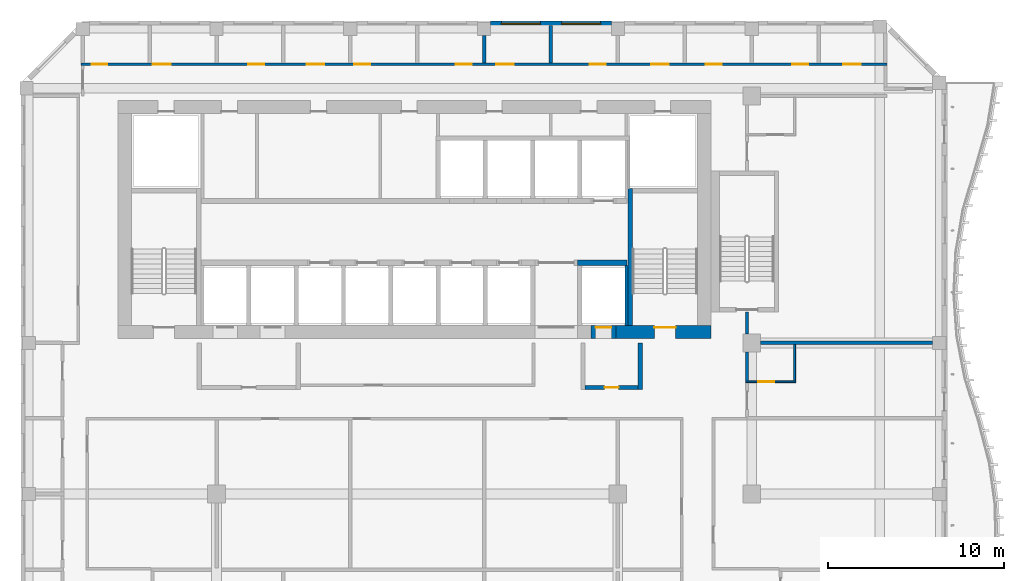
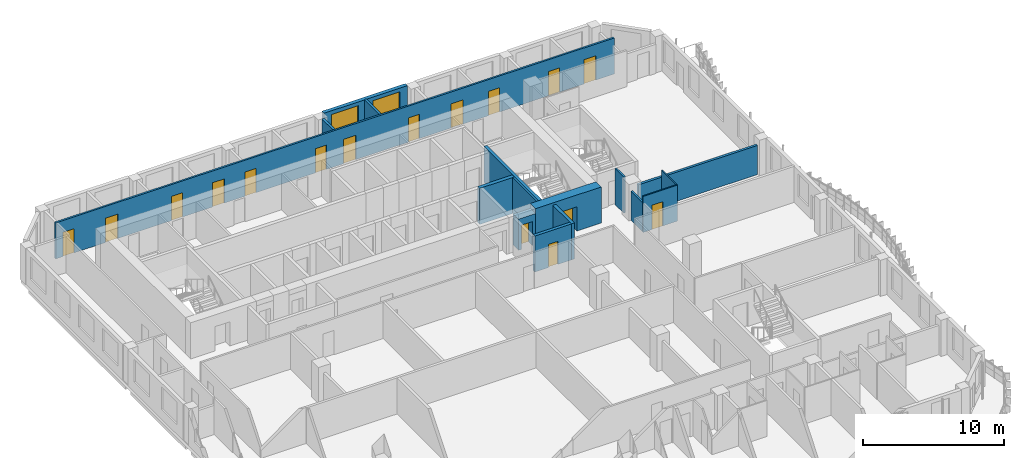
# One storey, part 9 of 22: 16 doors, 16 walls, 2 windows, 18 openings.
"""IFC4 building model written with IfcOpenShell, lengths in metres."""

from ifc_helpers import new_model, si_unit, direction, frame, frame_2d, origin, place, context, subcontext, project, spatial, rectangle, extrude, source, transform, mapped, material, layer, layer_set, type_object, element, fill, save


model = new_model("IFC4")

# Units and contexts
model_context = context("Model", 3, precision=1e-05, world=origin(), true_north=direction((0.0, 1.0)))
body_context = subcontext(model_context, "Body", "Model", "MODEL_VIEW")
ifc_project = project(units=[si_unit("LENGTHUNIT", "METRE"), si_unit("AREAUNIT", "SQUARE_METRE"), si_unit("VOLUMEUNIT", "CUBIC_METRE"), si_unit("PLANEANGLEUNIT", "RADIAN"), si_unit("MASSUNIT", "GRAM", prefix="KILO")], contexts=[model_context])

# Site, building, storey
site_placement = place(None, origin())
site = spatial("IfcSite", under=ifc_project, at=site_placement, CompositionType="ELEMENT")
building_placement = place(site_placement, origin())
building = spatial("IfcBuilding", under=site, at=building_placement, Name="Kilnfold Tower and Market Hall", CompositionType="ELEMENT")
storey_placement = place(building_placement, frame((0.0, 0.0, 206.699951171875)))
storey = spatial("IfcBuildingStorey", under=building, at=storey_placement, Name="L50", CompositionType="ELEMENT", Elevation=206.699951171875)

# Walls
ifc_material_1 = material(Name="Gypsum board on steel studs", Category="steel")
ifc_layer_1 = layer(ifc_material_1, 0.14990234375)
ifc_layer_set_1 = layer_set([ifc_layer_1], Name="Gypsum board on steel studs")
wall_type_1 = type_object("IfcWallType", Name="WALL CORRIDOR 150", PredefinedType="PARTITIONING", material=ifc_layer_set_1)
wall_1_placement = place(storey_placement, frame((19.89990234375, 5.840087890625, 0.0), z_axis=(0.0, 0.0, 1.0), x_axis=(0.0, 1.0, 0.0)))
element("IfcWall", 1, at=wall_1_placement, inside=storey, type_object=wall_type_1, Name="Partition LY30.19", PredefinedType="PARTITIONING", context=body_context, shape_type="SweptSolid", body=[
    extrude(rectangle(XDim=1.659912109375, YDim=0.14990234375, at=frame_2d((0.830078125, 0.0))), origin(), (0.0, 0.0, 1.0), 2.52001953125),
])
wall_2_placement = place(storey_placement, frame((19.89990234375, 8.5, 0.0), z_axis=(0.0, 0.0, 1.0), x_axis=(0.0, 1.0, 0.0)))
element("IfcWall", 2, at=wall_2_placement, inside=storey, type_object=wall_type_1, Name="Partition LY30.21", PredefinedType="PARTITIONING", context=body_context, shape_type="SweptSolid", body=[
    extrude(rectangle(XDim=1.25, YDim=0.14990234375, at=frame_2d((0.625, 0.0))), origin(), (0.0, 0.0, 1.0), 3.1201171875),
])

# Wall, openings, doors
wall_3_placement = place(storey_placement, frame((-17.85009765625, 23.800048828125, 0.0), z_axis=(0.0, 0.0, 1.0), x_axis=(1.0, 0.0, 0.0)))
wall_3 = element("IfcWall", 3, at=wall_3_placement, inside=storey, type_object=wall_type_1, Name="Partition LY30.31", PredefinedType="PARTITIONING", context=body_context, shape_type="SweptSolid", body=[
    extrude(rectangle(XDim=45.7001953125, YDim=0.14990234375, at=frame_2d((22.85009765625, 0.0))), origin(), (0.0, 0.0, 1.0), 3.1201171875),
])
opening_1_placement = place(wall_3_placement, frame((0.60009765625, 0.0, 0.0)))
opening_1 = element("IfcOpeningElement", 4, at=opening_1_placement, cuts=wall_3, Name="Opening D2", PredefinedType="OPENING", context=body_context, shape_type="SweptSolid", body=[
    extrude(rectangle(XDim=0.89990234375, YDim=2.10009765625, at=frame_2d((0.449951171875, 1.050048828125))), frame((0.0, 0.0849609375, 0.0), z_axis=(0.0, -1.0, 0.0), x_axis=(1.0, 0.0, 0.0)), (0.0, 0.0, 1.0), 0.169921875),
])
opening_2_placement = place(wall_3_placement, frame((4.0810546875, 0.0, 0.0)))
opening_2 = element("IfcOpeningElement", 5, at=opening_2_placement, cuts=wall_3, Name="Opening D4", PredefinedType="OPENING", context=body_context, shape_type="SweptSolid", body=[
    extrude(rectangle(XDim=1.0, YDim=2.10009765625, at=frame_2d((0.5, 1.050048828125))), frame((0.0, 0.0849609375, 0.0), z_axis=(0.0, -1.0, 0.0), x_axis=(1.0, 0.0, 0.0)), (0.0, 0.0, 1.0), 0.169921875),
])
opening_3_placement = place(wall_3_placement, frame((9.48095703125, 0.0, 0.0)))
opening_3 = element("IfcOpeningElement", 6, at=opening_3_placement, cuts=wall_3, Name="Opening D2", PredefinedType="OPENING", context=body_context, shape_type="SweptSolid", body=[
    extrude(rectangle(XDim=0.89990234375, YDim=2.10009765625, at=frame_2d((0.449951171875, 1.050048828125))), frame((0.0, 0.0849609375, 0.0), z_axis=(0.0, -1.0, 0.0), x_axis=(1.0, 0.0, 0.0)), (0.0, 0.0, 1.0), 0.169921875),
])
opening_4_placement = place(wall_3_placement, frame((12.802978515625, 0.0, 0.0)))
opening_4 = element("IfcOpeningElement", 7, at=opening_4_placement, cuts=wall_3, Name="Opening D4", PredefinedType="OPENING", context=body_context, shape_type="SweptSolid", body=[
    extrude(rectangle(XDim=1.0, YDim=2.10009765625, at=frame_2d((0.5, 1.050048828125))), frame((0.0, 0.0849609375, 0.0), z_axis=(0.0, -1.0, 0.0), x_axis=(1.0, 0.0, 0.0)), (0.0, 0.0, 1.0), 0.169921875),
])
opening_5_placement = place(wall_3_placement, frame((15.489013671875, 0.0, 0.0)))
opening_5 = element("IfcOpeningElement", 8, at=opening_5_placement, cuts=wall_3, Name="Opening D2", PredefinedType="OPENING", context=body_context, shape_type="SweptSolid", body=[
    extrude(rectangle(XDim=0.89990234375, YDim=2.10009765625, at=frame_2d((0.449951171875, 1.050048828125))), frame((0.0, 0.0849609375, 0.0), z_axis=(0.0, -1.0, 0.0), x_axis=(1.0, 0.0, 0.0)), (0.0, 0.0, 1.0), 0.169921875),
])
opening_6_placement = place(wall_3_placement, frame((21.243896484375, 0.0, 0.0)))
opening_6 = element("IfcOpeningElement", 9, at=opening_6_placement, cuts=wall_3, Name="Opening D2", PredefinedType="OPENING", context=body_context, shape_type="SweptSolid", body=[
    extrude(rectangle(XDim=0.89990234375, YDim=2.10009765625, at=frame_2d((0.449951171875, 1.050048828125))), frame((0.0, 0.0849609375, 0.0), z_axis=(0.0, -1.0, 0.0), x_axis=(1.0, 0.0, 0.0)), (0.0, 0.0, 1.0), 0.169921875),
])
opening_7_placement = place(wall_3_placement, frame((23.5419921875, 0.0, 0.0)))
opening_7 = element("IfcOpeningElement", 10, at=opening_7_placement, cuts=wall_3, Name="Opening D4", PredefinedType="OPENING", context=body_context, shape_type="SweptSolid", body=[
    extrude(rectangle(XDim=1.0, YDim=2.10009765625, at=frame_2d((0.5, 1.050048828125))), frame((0.0, 0.0849609375, 0.0), z_axis=(0.0, -1.0, 0.0), x_axis=(1.0, 0.0, 0.0)), (0.0, 0.0, 1.0), 0.169921875),
])
opening_8_placement = place(wall_3_placement, frame((28.841064453125, 0.0, 0.0)))
opening_8 = element("IfcOpeningElement", 11, at=opening_8_placement, cuts=wall_3, Name="Opening D2", PredefinedType="OPENING", context=body_context, shape_type="SweptSolid", body=[
    extrude(rectangle(XDim=0.89990234375, YDim=2.10009765625, at=frame_2d((0.449951171875, 1.050048828125))), frame((0.0, 0.0849609375, 0.0), z_axis=(0.0, -1.0, 0.0), x_axis=(1.0, 0.0, 0.0)), (0.0, 0.0, 1.0), 0.169921875),
])
opening_9_placement = place(wall_3_placement, frame((32.3310546875, 0.0, 0.0)))
opening_9 = element("IfcOpeningElement", 12, at=opening_9_placement, cuts=wall_3, Name="Opening D4", PredefinedType="OPENING", context=body_context, shape_type="SweptSolid", body=[
    extrude(rectangle(XDim=1.0, YDim=2.10009765625, at=frame_2d((0.5, 1.050048828125))), frame((0.0, 0.0849609375, 0.0), z_axis=(0.0, -1.0, 0.0), x_axis=(1.0, 0.0, 0.0)), (0.0, 0.0, 1.0), 0.169921875),
])
opening_10_placement = place(wall_3_placement, frame((35.419921875, 0.0, 0.0)))
opening_10 = element("IfcOpeningElement", 13, at=opening_10_placement, cuts=wall_3, Name="Opening D2", PredefinedType="OPENING", context=body_context, shape_type="SweptSolid", body=[
    extrude(rectangle(XDim=0.89990234375, YDim=2.10009765625, at=frame_2d((0.449951171875, 1.050048828125))), frame((0.0, 0.0849609375, 0.0), z_axis=(0.0, -1.0, 0.0), x_axis=(1.0, 0.0, 0.0)), (0.0, 0.0, 1.0), 0.169921875),
])
opening_11_placement = place(wall_3_placement, frame((40.31689453125, 0.0, 0.0)))
opening_11 = element("IfcOpeningElement", 14, at=opening_11_placement, cuts=wall_3, Name="Opening D2", PredefinedType="OPENING", context=body_context, shape_type="SweptSolid", body=[
    extrude(rectangle(XDim=0.89990234375, YDim=2.10009765625, at=frame_2d((0.449951171875, 1.050048828125))), frame((0.0, 0.0849609375, 0.0), z_axis=(0.0, -1.0, 0.0), x_axis=(1.0, 0.0, 0.0)), (0.0, 0.0, 1.0), 0.169921875),
])
opening_12_placement = place(wall_3_placement, frame((43.198974609375, 0.0, 0.0)))
opening_12 = element("IfcOpeningElement", 15, at=opening_12_placement, cuts=wall_3, Name="Opening D4", PredefinedType="OPENING", context=body_context, shape_type="SweptSolid", body=[
    extrude(rectangle(XDim=1.0, YDim=2.10009765625, at=frame_2d((0.5, 1.050048828125))), frame((0.0, 0.0849609375, 0.0), z_axis=(0.0, -1.0, 0.0), x_axis=(1.0, 0.0, 0.0)), (0.0, 0.0, 1.0), 0.169921875),
])
ifc_material_2 = material(Name="Timber veneer door leaf in steel frame", Category="steel")
door_type_1 = type_object("IfcDoorType", Name="DOOR ROOM 900 X2100", OperationType="NOTDEFINED", PredefinedType="DOOR", material=ifc_material_2)
door_1_placement = place(opening_1_placement, origin())
door_1 = element("IfcDoor", 16, at=door_1_placement, inside=storey, type_object=door_type_1, Name="Door D2", OperationType="SINGLE_SWING_LEFT", OverallHeight=2.10009765625, OverallWidth=0.89990234375, PredefinedType="DOOR", context=body_context, shape_type="SweptSolid", body=[
    extrude(rectangle(XDim=0.89990234375, YDim=2.10009765625, at=frame_2d((0.449951171875, 1.050048828125))), frame((0.0, 0.02490234375, 0.0), z_axis=(0.0, -1.0, 0.0), x_axis=(1.0, 0.0, 0.0)), (0.0, 0.0, 1.0), 0.050048828125),
])
fill(opening_1, door_1)
door_2_placement = place(opening_3_placement, origin())
door_2 = element("IfcDoor", 17, at=door_2_placement, inside=storey, type_object=door_type_1, Name="Door D2", OperationType="SINGLE_SWING_RIGHT", OverallHeight=2.10009765625, OverallWidth=0.89990234375, PredefinedType="DOOR", context=body_context, shape_type="SweptSolid", body=[
    extrude(rectangle(XDim=0.89990234375, YDim=2.10009765625, at=frame_2d((0.449951171875, 1.050048828125))), frame((0.0, 0.02490234375, 0.0), z_axis=(0.0, -1.0, 0.0), x_axis=(1.0, 0.0, 0.0)), (0.0, 0.0, 1.0), 0.050048828125),
])
fill(opening_3, door_2)
door_3_placement = place(opening_5_placement, origin())
door_3 = element("IfcDoor", 18, at=door_3_placement, inside=storey, type_object=door_type_1, Name="Door D2", OperationType="SINGLE_SWING_RIGHT", OverallHeight=2.10009765625, OverallWidth=0.89990234375, PredefinedType="DOOR", context=body_context, shape_type="SweptSolid", body=[
    extrude(rectangle(XDim=0.89990234375, YDim=2.10009765625, at=frame_2d((0.449951171875, 1.050048828125))), frame((0.0, 0.02490234375, 0.0), z_axis=(0.0, -1.0, 0.0), x_axis=(1.0, 0.0, 0.0)), (0.0, 0.0, 1.0), 0.050048828125),
])
fill(opening_5, door_3)
door_4_placement = place(opening_6_placement, origin())
door_4 = element("IfcDoor", 19, at=door_4_placement, inside=storey, type_object=door_type_1, Name="Door D2", OperationType="SINGLE_SWING_RIGHT", OverallHeight=2.10009765625, OverallWidth=0.89990234375, PredefinedType="DOOR", context=body_context, shape_type="SweptSolid", body=[
    extrude(rectangle(XDim=0.89990234375, YDim=2.10009765625, at=frame_2d((0.449951171875, 1.050048828125))), frame((0.0, 0.02490234375, 0.0), z_axis=(0.0, -1.0, 0.0), x_axis=(1.0, 0.0, 0.0)), (0.0, 0.0, 1.0), 0.050048828125),
])
fill(opening_6, door_4)
door_5_placement = place(opening_8_placement, origin())
door_5 = element("IfcDoor", 20, at=door_5_placement, inside=storey, type_object=door_type_1, Name="Door D2", OperationType="SINGLE_SWING_RIGHT", OverallHeight=2.10009765625, OverallWidth=0.89990234375, PredefinedType="DOOR", context=body_context, shape_type="SweptSolid", body=[
    extrude(rectangle(XDim=0.89990234375, YDim=2.10009765625, at=frame_2d((0.449951171875, 1.050048828125))), frame((0.0, 0.02490234375, 0.0), z_axis=(0.0, -1.0, 0.0), x_axis=(1.0, 0.0, 0.0)), (0.0, 0.0, 1.0), 0.050048828125),
])
fill(opening_8, door_5)
door_6_placement = place(opening_10_placement, origin())
door_6 = element("IfcDoor", 21, at=door_6_placement, inside=storey, type_object=door_type_1, Name="Door D2", OperationType="SINGLE_SWING_RIGHT", OverallHeight=2.10009765625, OverallWidth=0.89990234375, PredefinedType="DOOR", context=body_context, shape_type="SweptSolid", body=[
    extrude(rectangle(XDim=0.89990234375, YDim=2.10009765625, at=frame_2d((0.449951171875, 1.050048828125))), frame((0.0, 0.02490234375, 0.0), z_axis=(0.0, -1.0, 0.0), x_axis=(1.0, 0.0, 0.0)), (0.0, 0.0, 1.0), 0.050048828125),
])
fill(opening_10, door_6)
door_7_placement = place(opening_11_placement, origin())
door_7 = element("IfcDoor", 22, at=door_7_placement, inside=storey, type_object=door_type_1, Name="Door D2", OperationType="SINGLE_SWING_LEFT", OverallHeight=2.10009765625, OverallWidth=0.89990234375, PredefinedType="DOOR", context=body_context, shape_type="SweptSolid", body=[
    extrude(rectangle(XDim=0.89990234375, YDim=2.10009765625, at=frame_2d((0.449951171875, 1.050048828125))), frame((0.0, 0.02490234375, 0.0), z_axis=(0.0, -1.0, 0.0), x_axis=(1.0, 0.0, 0.0)), (0.0, 0.0, 1.0), 0.050048828125),
])
fill(opening_11, door_7)
ifc_material_3 = material(Name="Timber veneer door leaf in steel frame", Category="steel")
door_type_2 = type_object("IfcDoorType", Name="DOOR SERVICE 1000 X2100", OperationType="NOTDEFINED", PredefinedType="DOOR", material=ifc_material_3)
door_8_placement = place(opening_2_placement, origin())
door_8 = element("IfcDoor", 23, at=door_8_placement, inside=storey, type_object=door_type_2, Name="Door D4", OperationType="SINGLE_SWING_LEFT", OverallHeight=2.10009765625, OverallWidth=1.0, PredefinedType="DOOR", context=body_context, shape_type="SweptSolid", body=[
    extrude(rectangle(XDim=1.0, YDim=2.10009765625, at=frame_2d((0.5, 1.050048828125))), frame((0.0, 0.02490234375, 0.0), z_axis=(0.0, -1.0, 0.0), x_axis=(1.0, 0.0, 0.0)), (0.0, 0.0, 1.0), 0.050048828125),
])
fill(opening_2, door_8)
door_9_placement = place(opening_4_placement, origin())
door_9 = element("IfcDoor", 24, at=door_9_placement, inside=storey, type_object=door_type_2, Name="Door D4", OperationType="SINGLE_SWING_RIGHT", OverallHeight=2.10009765625, OverallWidth=1.0, PredefinedType="DOOR", context=body_context, shape_type="SweptSolid", body=[
    extrude(rectangle(XDim=1.0, YDim=2.10009765625, at=frame_2d((0.5, 1.050048828125))), frame((0.0, 0.02490234375, 0.0), z_axis=(0.0, -1.0, 0.0), x_axis=(1.0, 0.0, 0.0)), (0.0, 0.0, 1.0), 0.050048828125),
])
fill(opening_4, door_9)
door_10_placement = place(opening_7_placement, origin())
door_10 = element("IfcDoor", 25, at=door_10_placement, inside=storey, type_object=door_type_2, Name="Door D4", OperationType="SINGLE_SWING_RIGHT", OverallHeight=2.10009765625, OverallWidth=1.0, PredefinedType="DOOR", context=body_context, shape_type="SweptSolid", body=[
    extrude(rectangle(XDim=1.0, YDim=2.10009765625, at=frame_2d((0.5, 1.050048828125))), frame((0.0, 0.02490234375, 0.0), z_axis=(0.0, -1.0, 0.0), x_axis=(1.0, 0.0, 0.0)), (0.0, 0.0, 1.0), 0.050048828125),
])
fill(opening_7, door_10)
door_11_placement = place(opening_9_placement, origin())
door_11 = element("IfcDoor", 26, at=door_11_placement, inside=storey, type_object=door_type_2, Name="Door D4", OperationType="SINGLE_SWING_RIGHT", OverallHeight=2.10009765625, OverallWidth=1.0, PredefinedType="DOOR", context=body_context, shape_type="SweptSolid", body=[
    extrude(rectangle(XDim=1.0, YDim=2.10009765625, at=frame_2d((0.5, 1.050048828125))), frame((0.0, 0.02490234375, 0.0), z_axis=(0.0, -1.0, 0.0), x_axis=(1.0, 0.0, 0.0)), (0.0, 0.0, 1.0), 0.050048828125),
])
fill(opening_9, door_11)
door_12_placement = place(opening_12_placement, origin())
door_12 = element("IfcDoor", 27, at=door_12_placement, inside=storey, type_object=door_type_2, Name="Door D4", OperationType="SINGLE_SWING_RIGHT", OverallHeight=2.10009765625, OverallWidth=1.0, PredefinedType="DOOR", context=body_context, shape_type="SweptSolid", body=[
    extrude(rectangle(XDim=1.0, YDim=2.10009765625, at=frame_2d((0.5, 1.050048828125))), frame((0.0, 0.02490234375, 0.0), z_axis=(0.0, -1.0, 0.0), x_axis=(1.0, 0.0, 0.0)), (0.0, 0.0, 1.0), 0.050048828125),
])
fill(opening_12, door_12)

# Wall, opening, door
ifc_material_4 = material(Name="Gypsum board on steel studs", Category="steel")
ifc_layer_2 = layer(ifc_material_4, 0.10009765625)
ifc_layer_set_2 = layer_set([ifc_layer_2], Name="Gypsum board on steel studs")
wall_type_2 = type_object("IfcWallType", Name="WALL PARTITION 100", PredefinedType="PARTITIONING", material=ifc_layer_set_2)
wall_4_placement = place(storey_placement, frame((22.652099609375, 5.800048828125, 0.0), z_axis=(0.0, 0.0, 1.0), x_axis=(-1.0, 0.0, 0.0)))
wall_4 = element("IfcWall", 28, at=wall_4_placement, inside=storey, type_object=wall_type_2, Name="Partition LY30.89", PredefinedType="PARTITIONING", context=body_context, shape_type="SweptSolid", body=[
    extrude(rectangle(XDim=2.8251953125, YDim=0.10009765625, at=frame_2d((1.41259765625, 0.0))), origin(), (0.0, 0.0, 1.0), 3.1201171875),
])
opening_13_placement = place(wall_4_placement, frame((1.217041015625, 0.0, 0.0)))
opening_13 = element("IfcOpeningElement", 29, at=opening_13_placement, cuts=wall_4, Name="Opening D3", PredefinedType="OPENING", context=body_context, shape_type="SweptSolid", body=[
    extrude(rectangle(XDim=0.89990234375, YDim=2.10009765625, at=frame_2d((0.449951171875, 1.050048828125))), frame((0.0, 0.06005859375, 0.0), z_axis=(0.0, -1.0, 0.0), x_axis=(1.0, 0.0, 0.0)), (0.0, 0.0, 1.0), 0.1201171875),
])
ifc_material_5 = material(Name="Timber veneer door leaf in steel frame", Category="steel")
door_type_3 = type_object("IfcDoorType", Name="DOOR WC 900 X2100", OperationType="NOTDEFINED", PredefinedType="DOOR", material=ifc_material_5)
door_13_placement = place(opening_13_placement, origin())
door_13 = element("IfcDoor", 30, at=door_13_placement, inside=storey, type_object=door_type_3, Name="Door D3", OperationType="SINGLE_SWING_LEFT", OverallHeight=2.10009765625, OverallWidth=0.89990234375, PredefinedType="DOOR", context=body_context, shape_type="SweptSolid", body=[
    extrude(rectangle(XDim=0.89990234375, YDim=2.10009765625, at=frame_2d((0.449951171875, 1.050048828125))), frame((0.0, 0.02490234375, 0.0), z_axis=(0.0, -1.0, 0.0), x_axis=(1.0, 0.0, 0.0)), (0.0, 0.0, 1.0), 0.050048828125),
])
fill(opening_13, door_13)

# Walls
wall_5_placement = place(storey_placement, frame((22.60205078125, 5.85009765625, 0.0), z_axis=(0.0, 0.0, 1.0), x_axis=(0.0, 1.0, 0.0)))
element("IfcWall", 31, at=wall_5_placement, inside=storey, type_object=wall_type_2, Name="Partition LY30.90", PredefinedType="PARTITIONING", context=body_context, shape_type="SweptSolid", body=[
    extrude(rectangle(XDim=2.0498046875, YDim=0.10009765625, at=frame_2d((1.02490234375, 0.0))), origin(), (0.0, 0.0, 1.0), 3.1201171875),
])
ifc_material_6 = material(Name="Gypsum board on steel studs", Category="steel")
ifc_layer_3 = layer(ifc_material_6, 0.199951171875)
ifc_layer_set_3 = layer_set([ifc_layer_3], Name="Gypsum board on steel studs")
wall_type_3 = type_object("IfcWallType", Name="WALL PARTY 200", PredefinedType="PARTITIONING", material=ifc_layer_set_3)
wall_6_placement = place(storey_placement, frame((20.6669921875, 8.0, 0.0), z_axis=(0.0, 0.0, 1.0), x_axis=(1.0, 0.0, 0.0)))
element("IfcWall", 32, at=wall_6_placement, inside=storey, type_object=wall_type_3, Name="Partition LY30.92", PredefinedType="PARTITIONING", context=body_context, shape_type="SweptSolid", body=[
    extrude(rectangle(XDim=9.758056640625, YDim=0.199951171875, at=frame_2d((4.87890625, 0.0))), origin(), (0.0, 0.0, 1.0), 2.52001953125),
])
wall_7_placement = place(storey_placement, frame((5.0, 23.876953125, 0.0), z_axis=(0.0, 0.0, 1.0), x_axis=(0.0, 1.0, 0.0)))
element("IfcWall", 33, at=wall_7_placement, inside=storey, type_object=wall_type_3, Name="Partition LY30.104", PredefinedType="PARTITIONING", context=body_context, shape_type="SweptSolid", body=[
    extrude(rectangle(XDim=1.548095703125, YDim=0.199951171875, at=frame_2d((0.77392578125, 0.0))), origin(), (0.0, 0.0, 1.0), 3.1201171875),
])
wall_8_placement = place(storey_placement, frame((8.791015625, 23.876953125, 0.0), z_axis=(0.0, 0.0, 1.0), x_axis=(0.0, 1.0, 0.0)))
element("IfcWall", 34, at=wall_8_placement, inside=storey, type_object=wall_type_3, Name="Partition LY30.105", PredefinedType="PARTITIONING", context=body_context, shape_type="SweptSolid", body=[
    extrude(rectangle(XDim=2.123046875, YDim=0.199951171875, at=frame_2d((1.0615234375, 0.0))), origin(), (0.0, 0.0, 1.0), 3.1201171875),
])
ifc_material_7 = material(Name="Concrete C60", Category="concrete")
ifc_layer_4 = layer(ifc_material_7, 0.25)
ifc_layer_set_4 = layer_set([ifc_layer_4], Name="Concrete C60")
wall_type_4 = type_object("IfcWallType", Name="CORE WALL 250 C60", PredefinedType="SHEAR", material=ifc_layer_set_4)
shared_shape_1 = source(origin(), body_context, "Body", "SweptSolid", [
    extrude(rectangle(XDim=7.75, YDim=0.25, at=frame_2d((3.875, 0.0))), origin(), (0.0, 0.0, 1.0), 3.1201171875),
])
wall_9_placement = place(storey_placement, frame((13.27490234375, 9.0, 0.0), z_axis=(0.0, 0.0, 1.0), x_axis=(0.0, 1.0, 0.0)))
element("IfcWall", 35, at=wall_9_placement, inside=storey, type_object=wall_type_4, Name="Stair enclosure ST2", PredefinedType="SHEAR", context=body_context, shape_type="MappedRepresentation", body=[
    mapped(shared_shape_1, transform((0.0, 0.0, 0.0))),
])
ifc_material_8 = material(Name="Concrete C60", Category="concrete")
ifc_layer_5 = layer(ifc_material_8, 0.300048828125)
ifc_layer_set_5 = layer_set([ifc_layer_5], Name="Concrete C60")
wall_type_5 = type_object("IfcWallType", Name="CORE WALL 300 C60", PredefinedType="SHEAR", material=ifc_layer_set_5)
shared_shape_2 = source(origin(), body_context, "Body", "SweptSolid", [
    extrude(rectangle(XDim=2.820068359375, YDim=0.300048828125, at=frame_2d((1.41015625, 0.0))), origin(), (0.0, 0.0, 1.0), 3.1201171875),
])
wall_10_placement = place(storey_placement, frame((10.2900390625, 12.550048828125, 0.0), z_axis=(0.0, 0.0, 1.0), x_axis=(1.0, 0.0, 0.0)))
element("IfcWall", 36, at=wall_10_placement, inside=storey, type_object=wall_type_5, Name="Core spine wall", PredefinedType="SHEAR", context=body_context, shape_type="MappedRepresentation", body=[
    mapped(shared_shape_2, transform((0.0, 0.0, 0.0))),
])

# Wall, opening, door
ifc_material_9 = material(Name="Concrete C60", Category="concrete")
ifc_layer_6 = layer(ifc_material_9, 0.75)
ifc_layer_set_6 = layer_set([ifc_layer_6], Name="Concrete C60")
wall_type_6 = type_object("IfcWallType", Name="CORE WALL 750 C60", PredefinedType="SHEAR", material=ifc_layer_set_6)
shared_shape_3 = source(origin(), body_context, "Body", "SweptSolid", [
    extrude(rectangle(XDim=5.380126953125, YDim=0.75, at=frame_2d((2.68994140625, 0.0))), origin(), (0.0, 0.0, 1.0), 3.1201171875),
])
wall_11_placement = place(storey_placement, frame((12.469970703125, 8.625, 0.0), z_axis=(0.0, 0.0, 1.0), x_axis=(1.0, 0.0, 0.0)))
wall_11 = element("IfcWall", 37, at=wall_11_placement, inside=storey, type_object=wall_type_6, Name="Core outer wall south", PredefinedType="SHEAR", context=body_context, shape_type="MappedRepresentation", body=[
    mapped(shared_shape_3, transform((0.0, 0.0, 0.0))),
])
opening_14_placement = place(wall_11_placement, frame((2.179931640625, 0.0, 0.0)))
opening_14 = element("IfcOpeningElement", 38, at=opening_14_placement, cuts=wall_11, Name="Opening SD1", PredefinedType="OPENING", context=body_context, shape_type="SweptSolid", body=[
    extrude(rectangle(XDim=1.199951171875, YDim=2.10009765625, at=frame_2d((0.60009765625, 1.050048828125))), frame((0.0, 0.385009765625, 0.0), z_axis=(0.0, -1.0, 0.0), x_axis=(1.0, 0.0, 0.0)), (0.0, 0.0, 1.0), 0.77001953125),
])
ifc_material_10 = material(Name="Steel door set with fire-resisting leaf", Category="steel")
door_type_4 = type_object("IfcDoorType", Name="STAIR FLOOR DOOR 1200X2100", OperationType="NOTDEFINED", PredefinedType="DOOR", material=ifc_material_10)
door_14_placement = place(opening_14_placement, origin())
door_14 = element("IfcDoor", 39, at=door_14_placement, inside=storey, type_object=door_type_4, Name="Exit stair ST2 door", OperationType="DOUBLE_DOOR_SINGLE_SWING", OverallHeight=2.10009765625, OverallWidth=1.199951171875, PredefinedType="DOOR", context=body_context, shape_type="SweptSolid", body=[
    extrude(rectangle(XDim=1.199951171875, YDim=2.10009765625, at=frame_2d((0.60009765625, 1.050048828125))), frame((0.0, 0.27978515625, 0.0), z_axis=(0.0, -1.0, 0.0), x_axis=(1.0, 0.0, 0.0)), (0.0, 0.0, 1.0), 0.050048828125),
])
fill(opening_14, door_14)

# Wall, openings, windows
ifc_material_11 = material(Name="Precast concrete C50/60", Category="concrete")
ifc_layer_7 = layer(ifc_material_11, 0.300048828125)
ifc_layer_set_7 = layer_set([ifc_layer_7], Name="Precast concrete C50/60")
wall_type_7 = type_object("IfcWallType", Name="PRECAST WALL 300", PredefinedType="SOLIDWALL", material=ifc_layer_set_7)
shared_shape_4 = source(origin(), body_context, "Body", "SweptSolid", [
    extrude(rectangle(XDim=6.833251953125, YDim=0.300048828125, at=frame_2d((3.41650390625, 0.0))), origin(), (0.0, 0.0, 1.0), 3.1201171875),
])
wall_12_placement = place(storey_placement, frame((12.208251953125, 26.10009765625, 0.0), z_axis=(0.0, 0.0, 1.0), x_axis=(-1.0, 0.0, 0.0)))
wall_12 = element("IfcWall", 40, at=wall_12_placement, inside=storey, type_object=wall_type_7, Name="External wall L50 N", PredefinedType="SOLIDWALL", context=body_context, shape_type="MappedRepresentation", body=[
    mapped(shared_shape_4, transform((0.0, 0.0, 0.0))),
])
opening_15_placement = place(wall_12_placement, frame((0.6083984375, 0.0, 0.85009765625)))
opening_15 = element("IfcOpeningElement", 41, at=opening_15_placement, cuts=wall_12, Name="Opening W2", PredefinedType="OPENING", context=body_context, shape_type="SweptSolid", body=[
    extrude(rectangle(XDim=2.199951171875, YDim=1.949951171875, at=frame_2d((1.10009765625, 0.97509765625))), frame((0.0, 0.16015625, 0.0), z_axis=(0.0, -1.0, 0.0), x_axis=(1.0, 0.0, 0.0)), (0.0, 0.0, 1.0), 0.320068359375),
])
opening_16_placement = place(wall_12_placement, frame((4.02490234375, 0.0, 0.85009765625)))
opening_16 = element("IfcOpeningElement", 42, at=opening_16_placement, cuts=wall_12, Name="Opening W2", PredefinedType="OPENING", context=body_context, shape_type="SweptSolid", body=[
    extrude(rectangle(XDim=2.199951171875, YDim=1.949951171875, at=frame_2d((1.10009765625, 0.97509765625))), frame((0.0, 0.16015625, 0.0), z_axis=(0.0, -1.0, 0.0), x_axis=(1.0, 0.0, 0.0)), (0.0, 0.0, 1.0), 0.320068359375),
])
ifc_material_12 = material(Name="Aluminium frame and double glazing", Category="aluminium")
window_type = type_object("IfcWindowType", Name="WINDOW W2 2200X1950", PartitioningType="SINGLE_PANEL", PredefinedType="WINDOW", material=ifc_material_12)
window_1_placement = place(opening_15_placement, origin())
window_1 = element("IfcWindow", 43, at=window_1_placement, inside=storey, type_object=window_type, Name="Window W2 L50 N-1", OverallHeight=1.949951171875, OverallWidth=2.199951171875, PartitioningType="SINGLE_PANEL", PredefinedType="WINDOW", context=body_context, shape_type="SweptSolid", body=[
    extrude(rectangle(XDim=2.199951171875, YDim=1.949951171875, at=frame_2d((1.10009765625, 0.97509765625))), frame((0.0, 0.030029296875, 0.0), z_axis=(0.0, -1.0, 0.0), x_axis=(1.0, 0.0, 0.0)), (0.0, 0.0, 1.0), 0.06005859375),
])
fill(opening_15, window_1)
window_2_placement = place(opening_16_placement, origin())
window_2 = element("IfcWindow", 44, at=window_2_placement, inside=storey, type_object=window_type, Name="Window W2 L50 N-2", OverallHeight=1.949951171875, OverallWidth=2.199951171875, PartitioningType="SINGLE_PANEL", PredefinedType="WINDOW", context=body_context, shape_type="SweptSolid", body=[
    extrude(rectangle(XDim=2.199951171875, YDim=1.949951171875, at=frame_2d((1.10009765625, 0.97509765625))), frame((0.0, 0.030029296875, 0.0), z_axis=(0.0, -1.0, 0.0), x_axis=(1.0, 0.0, 0.0)), (0.0, 0.0, 1.0), 0.06005859375),
])
fill(opening_16, window_2)

# Wall
ifc_material_13 = material(Name="Gypsum shaft wall system")
ifc_layer_8 = layer(ifc_material_13, 0.25)
ifc_layer_set_8 = layer_set([ifc_layer_8], Name="Gypsum shaft wall system")
wall_type_8 = type_object("IfcWallType", Name="LOBBY WALL 250", PredefinedType="PARTITIONING", material=ifc_layer_set_8)
shared_shape_5 = source(origin(), body_context, "Body", "SweptSolid", [
    extrude(rectangle(XDim=2.64990234375, YDim=0.25, at=frame_2d((1.324951171875, 0.0))), origin(), (0.0, 0.0, 1.0), 3.1201171875),
])
wall_13_placement = place(storey_placement, frame((13.85498046875, 5.35009765625, 0.0), z_axis=(0.0, 0.0, 1.0), x_axis=(0.0, 1.0, 0.0)))
element("IfcWall", 45, at=wall_13_placement, inside=storey, type_object=wall_type_8, Name="Firefighting lobby wall", PredefinedType="PARTITIONING", context=body_context, shape_type="MappedRepresentation", body=[
    mapped(shared_shape_5, transform((0.0, 0.0, 0.0))),
])

# Wall, opening, door
shared_shape_6 = source(origin(), body_context, "Body", "SweptSolid", [
    extrude(rectangle(XDim=3.0, YDim=0.25, at=frame_2d((1.5, 0.0))), origin(), (0.0, 0.0, 1.0), 3.1201171875),
])
wall_14_placement = place(storey_placement, frame((10.72998046875, 5.47509765625, 0.0), z_axis=(0.0, 0.0, 1.0), x_axis=(1.0, 0.0, 0.0)))
wall_14 = element("IfcWall", 46, at=wall_14_placement, inside=storey, type_object=wall_type_8, Name="Firefighting lobby wall", PredefinedType="PARTITIONING", context=body_context, shape_type="MappedRepresentation", body=[
    mapped(shared_shape_6, transform((0.0, 0.0, 0.0))),
])
opening_17_placement = place(wall_14_placement, frame((1.10009765625, 0.0, 0.0)))
opening_17 = element("IfcOpeningElement", 47, at=opening_17_placement, cuts=wall_14, Name="Opening VD1", PredefinedType="OPENING", context=body_context, shape_type="SweptSolid", body=[
    extrude(rectangle(XDim=0.800048828125, YDim=2.0, at=frame_2d((0.39990234375, 1.0))), frame((0.0, 0.135009765625, 0.0), z_axis=(0.0, -1.0, 0.0), x_axis=(1.0, 0.0, 0.0)), (0.0, 0.0, 1.0), 0.27001953125),
])
ifc_material_14 = material(Name="Steel door set with fire-resisting leaf", Category="steel")
door_type_5 = type_object("IfcDoorType", Name="FIREFIGHTING LOBBY DOOR 800X2000", OperationType="NOTDEFINED", PredefinedType="DOOR", material=ifc_material_14)
door_15_placement = place(opening_17_placement, origin())
door_15 = element("IfcDoor", 48, at=door_15_placement, inside=storey, type_object=door_type_5, Name="Firefighting lobby door", OperationType="SINGLE_SWING_RIGHT", OverallHeight=2.0, OverallWidth=0.800048828125, PredefinedType="DOOR", context=body_context, shape_type="SweptSolid", body=[
    extrude(rectangle(XDim=0.800048828125, YDim=2.0, at=frame_2d((0.39990234375, 1.0))), frame((0.0, 0.02490234375, 0.0), z_axis=(0.0, -1.0, 0.0), x_axis=(1.0, 0.0, 0.0)), (0.0, 0.0, 1.0), 0.050048828125),
])
fill(opening_17, door_15)

# Wall
ifc_material_15 = material(Name="Gypsum shaft wall system")
ifc_layer_9 = layer(ifc_material_15, 0.1650390625)
ifc_layer_set_9 = layer_set([ifc_layer_9], Name="Gypsum shaft wall system")
wall_type_9 = type_object("IfcWallType", Name="SHAFT WALL 165", PredefinedType="PARTITIONING", material=ifc_layer_set_9)
shared_shape_7 = source(origin(), body_context, "Body", "SweptSolid", [
    extrude(rectangle(XDim=3.39990234375, YDim=0.1650390625, at=frame_2d((1.699951171875, 0.0))), origin(), (0.0, 0.0, 1.0), 3.1201171875),
])
wall_15_placement = place(storey_placement, frame((13.0673828125, 9.0, 0.0), z_axis=(0.0, 0.0, 1.0), x_axis=(0.0, 1.0, 0.0)))
element("IfcWall", 49, at=wall_15_placement, inside=storey, type_object=wall_type_9, Name="Lift shaft wall", PredefinedType="PARTITIONING", context=body_context, shape_type="MappedRepresentation", body=[
    mapped(shared_shape_7, transform((0.0, 0.0, 0.0))),
])

# Wall, opening, door
ifc_material_16 = material(Name="Gypsum shaft wall system")
ifc_layer_10 = layer(ifc_material_16, 0.75)
ifc_layer_set_10 = layer_set([ifc_layer_10], Name="Gypsum shaft wall system")
wall_type_10 = type_object("IfcWallType", Name="LOBBY WALL 750", PredefinedType="PARTITIONING", material=ifc_layer_set_10)
shared_shape_8 = source(origin(), body_context, "Body", "SweptSolid", [
    extrude(rectangle(XDim=1.39990234375, YDim=0.75, at=frame_2d((0.699951171875, 0.0))), origin(), (0.0, 0.0, 1.0), 2.699951171875),
])
wall_16_placement = place(storey_placement, frame((11.070068359375, 8.625, 0.0), z_axis=(0.0, 0.0, 1.0), x_axis=(1.0, 0.0, 0.0)))
wall_16 = element("IfcWall", 50, at=wall_16_placement, inside=storey, type_object=wall_type_10, Name="Core wall infill", PredefinedType="PARTITIONING", context=body_context, shape_type="MappedRepresentation", body=[
    mapped(shared_shape_8, transform((0.0, 0.0, 0.0))),
])
opening_18_placement = place(wall_16_placement, frame((0.25, 0.0, 0.0)))
opening_18 = element("IfcOpeningElement", 51, at=opening_18_placement, cuts=wall_16, Name="Opening LD1", PredefinedType="OPENING", context=body_context, shape_type="SweptSolid", body=[
    extrude(rectangle(XDim=0.89990234375, YDim=2.10009765625, at=frame_2d((0.449951171875, 1.050048828125))), frame((0.0, 0.385009765625, 0.0), z_axis=(0.0, -1.0, 0.0), x_axis=(1.0, 0.0, 0.0)), (0.0, 0.0, 1.0), 0.77001953125),
])
ifc_material_17 = material(Name="Steel door set with fire-resisting leaf", Category="steel")
door_type_6 = type_object("IfcDoorType", Name="FIREFIGHTING LANDING DOOR 900X2100", OperationType="NOTDEFINED", PredefinedType="DOOR", material=ifc_material_17)
door_16_placement = place(opening_18_placement, origin())
door_16 = element("IfcDoor", 52, at=door_16_placement, inside=storey, type_object=door_type_6, Name="Landing door FF3", OperationType="SLIDING_TO_LEFT", OverallHeight=2.10009765625, OverallWidth=0.89990234375, PredefinedType="DOOR", context=body_context, shape_type="SweptSolid", body=[
    extrude(rectangle(XDim=0.89990234375, YDim=2.10009765625, at=frame_2d((0.449951171875, 1.050048828125))), frame((0.0, 0.27978515625, 0.0), z_axis=(0.0, -1.0, 0.0), x_axis=(1.0, 0.0, 0.0)), (0.0, 0.0, 1.0), 0.050048828125),
])
fill(opening_18, door_16)

save(model, "model.ifc")
